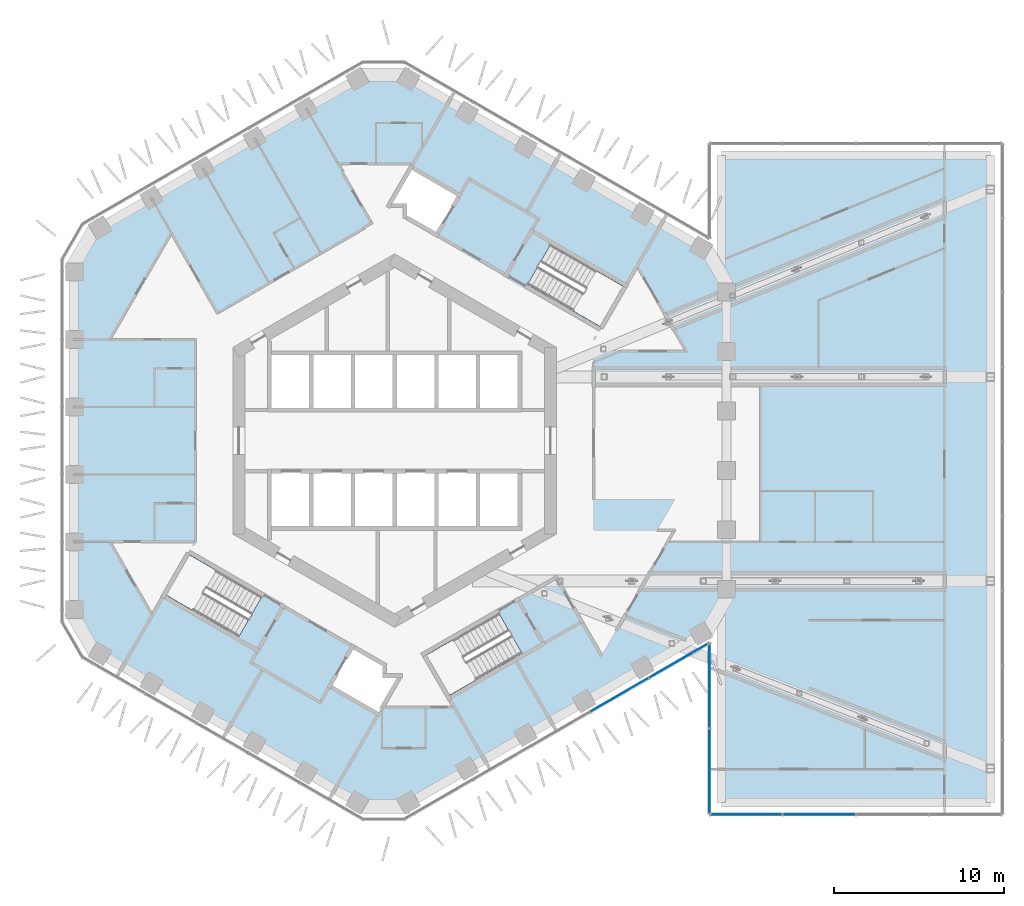
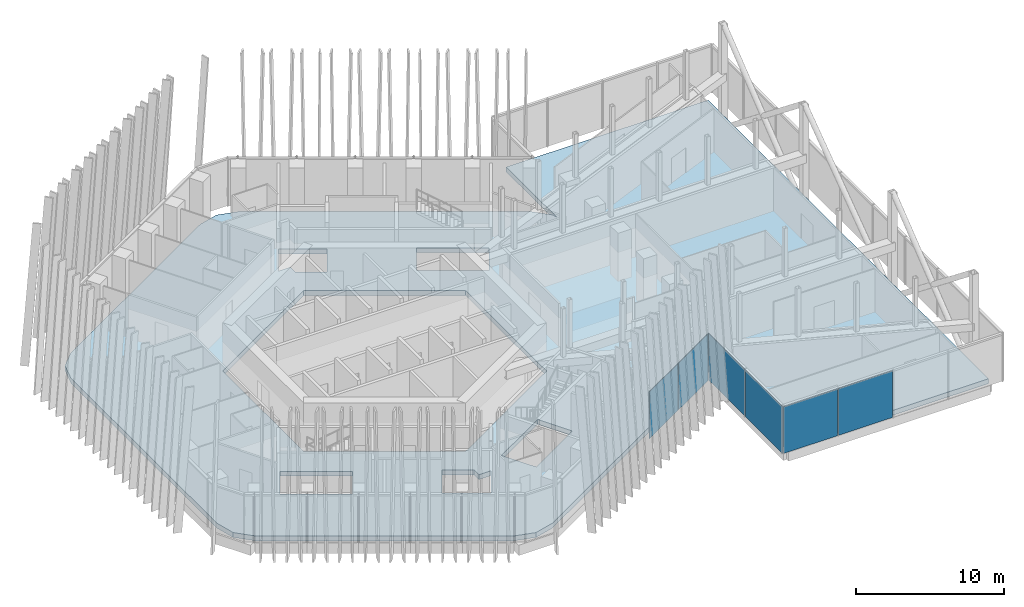
# One storey, part 14 of 28: 6 plates, 1 slab, 3 elements without a shape of their own.
"""IFC4 building model written with IfcOpenShell, lengths in metres."""

from ifc_helpers import new_model, si_unit, direction, frame, origin, origin_2d, place, context, subcontext, project, spatial, polyline, rectangle, outline, extrude, material, layer, layer_set, type_object, element, aggregate, save


model = new_model("IFC4")

# Units and contexts
model_context = context("Model", 3, precision=1e-05, world=origin(), true_north=direction((0.0, 1.0)))
body_context = subcontext(model_context, "Body", "Model", "MODEL_VIEW")
ifc_project = project(units=[si_unit("LENGTHUNIT", "METRE"), si_unit("AREAUNIT", "SQUARE_METRE"), si_unit("VOLUMEUNIT", "CUBIC_METRE"), si_unit("PLANEANGLEUNIT", "RADIAN"), si_unit("MASSUNIT", "GRAM", prefix="KILO")], contexts=[model_context])

# Site, building, storey
site_placement = place(None, origin())
site = spatial("IfcSite", under=ifc_project, at=site_placement, CompositionType="ELEMENT")
building_placement = place(site_placement, origin())
building = spatial("IfcBuilding", under=site, at=building_placement, Name="Ayvan Gate Tower", CompositionType="ELEMENT")
storey_placement = place(building_placement, frame((0.0, 0.0, 120.5)))
storey = spatial("IfcBuildingStorey", under=building, at=storey_placement, Name="L32", CompositionType="ELEMENT", Elevation=120.5)

# Slab
ifc_material_1 = material(Name="Concrete C40/50", Category="concrete")
ifc_layer_1 = layer(ifc_material_1, 0.39990234375)
ifc_layer_set_1 = layer_set([ifc_layer_1], Name="Concrete C40/50")
slab_type = type_object("IfcSlabType", Name="Post-tensioned flat slab 400", PredefinedType="FLOOR", material=ifc_layer_set_1)
slab_placement = place(storey_placement, frame((0.0, 0.0, -0.39990234375)))
element("IfcSlab", 1, at=slab_placement, inside=storey, type_object=slab_type, Name="SL-L32", PredefinedType="FLOOR", context=body_context, shape_type="SweptSolid", body=[
    extrude(outline(polyline([(17.985595703125, -11.3623046875), (0.84716796875, -21.257080078125), (-0.65283203125, -21.658935546875), (-2.15283203125, -21.257080078125), (-17.332763671875, -12.492919921875), (-18.430908203125, -11.394775390625), (-18.832763671875, -9.894775390625), (-18.832763671875, 9.894775390625), (-18.430908203125, 11.394775390625), (-17.332763671875, 12.492919921875), (-2.15283203125, 21.257080078125), (-0.65283203125, 21.658935546875), (0.84716796875, 21.257080078125), (17.985595703125, 11.3623046875), (19.083740234375, 10.26416015625), (19.185546875, 9.8837890625), (19.185546875, 16.75), (34.985595703125, 16.75), (34.985595703125, -21.25), (19.185546875, -21.25), (19.185546875, -9.8837890625), (19.083740234375, -10.26416015625), (17.985595703125, -11.3623046875)]), holes=[polyline([(12.049560546875, 6.720458984375), (13.404541015625, 9.0673828125), (9.1611328125, 11.517578125), (7.80615234375, 9.170654296875), (12.049560546875, 6.720458984375)]), polyline([(9.5, 5.48486328125), (0.0, 10.9697265625), (-9.5, 5.48486328125), (-9.5, -5.48486328125), (0.0, -10.9697265625), (9.5, -5.48486328125), (9.5, 5.48486328125)]), polyline([(1.873779296875, -12.595458984375), (3.228759765625, -14.9423828125), (7.472412109375, -12.492431640625), (6.117431640625, -10.1455078125), (1.873779296875, -12.595458984375)]), polyline([(0.60009765625, 13.16357421875), (2.472412109375, 12.08251953125), (3.822509765625, 14.420654296875), (0.964599609375, 16.07080078125), (-0.340576171875, 13.81005859375), (0.60009765625, 13.81005859375), (0.60009765625, 13.16357421875)]), polyline([(-0.726806640625, -15.658935546875), (0.340576171875, -13.81005859375), (-0.60009765625, -13.81005859375), (-0.60009765625, -13.16357421875), (-2.472412109375, -12.08251953125), (-3.822509765625, -14.420654296875), (-0.964599609375, -16.07080078125), (-0.726806640625, -15.658935546875)]), polyline([(-9.1611328125, -11.517578125), (-7.80615234375, -9.170654296875), (-12.049560546875, -6.720458984375), (-13.404541015625, -9.0673828125), (-9.1611328125, -11.517578125)])]), origin(), (0.0, 0.0, 1.0), 0.39990234375),
])

# Curtain wall, plates
ifc_material_2 = material(Name="Bronze anodised aluminium", Category="aluminium")
ifc_layer_2 = layer(ifc_material_2, 0.199951171875)
ifc_layer_set_2 = layer_set([ifc_layer_2], Name="Bronze anodised aluminium")
curtain_wall_type_1 = type_object("IfcCurtainWallType", Name="Stick curtain wall CW-1", PredefinedType="NOTDEFINED", material=ifc_layer_set_2)
curtain_wall_1_placement = place(storey_placement, origin())
curtain_wall_1 = element("IfcCurtainWall", 2, at=curtain_wall_1_placement, inside=storey, type_object=curtain_wall_type_1, Name="Stick curtain wall CW-1 L32", PredefinedType="NOTDEFINED")
ifc_material_3 = material(Name="Clear low-iron laminated glass", Category="glass")
ifc_layer_3 = layer(ifc_material_3, 0.028076171875)
ifc_layer_set_3 = layer_set([ifc_layer_3], Name="Clear low-iron laminated glass")
plate_type_1 = type_object("IfcPlateType", Name="Stick curtain wall CW-1 glass panel", PredefinedType="CURTAIN_PANEL", material=ifc_layer_set_3)
plate_1_placement = place(storey_placement, frame((13.200927734375, -14.932861328125, 0.0), z_axis=(0.0, 0.0, 1.0), x_axis=(0.866025403784, 0.5, 0.0)))
plate_1 = element("IfcPlate", 3, at=plate_1_placement, type_object=plate_type_1, Name="CW-1 glass panel 4", PredefinedType="CURTAIN_PANEL", context=body_context, shape_type="SweptSolid", body=[
    extrude(rectangle(XDim=3.906005859375, YDim=0.028076171875, at=origin_2d()), origin(), (0.0, 0.0, 1.0), 3.8798828125),
])
plate_2_placement = place(storey_placement, frame((16.666748046875, -12.931884765625, 0.0), z_axis=(0.0, 0.0, 1.0), x_axis=(0.866025403784, 0.5, 0.0)))
plate_2 = element("IfcPlate", 4, at=plate_2_placement, type_object=plate_type_1, Name="CW-1 glass panel 5", PredefinedType="CURTAIN_PANEL", context=body_context, shape_type="SweptSolid", body=[
    extrude(rectangle(XDim=3.97802734375, YDim=0.028076171875, at=origin_2d()), origin(), (0.0, 0.0, 1.0), 3.8798828125),
])
aggregate(curtain_wall_1, [plate_1, plate_2])

# Curtain wall, plate
ifc_layer_4 = layer(ifc_material_2, 0.199951171875)
ifc_layer_set_4 = layer_set([ifc_layer_4], Name="Bronze anodised aluminium")
curtain_wall_type_2 = type_object("IfcCurtainWallType", Name="Stick curtain wall CW-4", PredefinedType="NOTDEFINED", material=ifc_layer_set_4)
curtain_wall_2_placement = place(storey_placement, origin())
curtain_wall_2 = element("IfcCurtainWall", 5, at=curtain_wall_2_placement, inside=storey, type_object=curtain_wall_type_2, Name="Stick curtain wall CW-4 L32", PredefinedType="NOTDEFINED")
ifc_layer_5 = layer(ifc_material_3, 0.028076171875)
ifc_layer_set_5 = layer_set([ifc_layer_5], Name="Clear low-iron laminated glass")
plate_type_2 = type_object("IfcPlateType", Name="Stick curtain wall CW-4 glass panel", PredefinedType="CURTAIN_PANEL", material=ifc_layer_set_5)
plate_3_placement = place(storey_placement, frame((18.485595703125, -19.425537109375, 0.0), z_axis=(0.0, 0.0, 1.0), x_axis=(0.0, -1.0, 0.0)))
plate_3 = element("IfcPlate", 6, at=plate_3_placement, type_object=plate_type_2, Name="CW-4 glass panel 2", PredefinedType="CURTAIN_PANEL", context=body_context, shape_type="SweptSolid", body=[
    extrude(rectangle(XDim=4.968994140625, YDim=0.028076171875, at=origin_2d()), origin(), (0.0, 0.0, 1.0), 3.860107421875),
])

# Curtain wall, plates
curtain_wall_3_placement = place(storey_placement, origin())
curtain_wall_3 = element("IfcCurtainWall", 7, at=curtain_wall_3_placement, inside=storey, type_object=curtain_wall_type_2, Name="Stick curtain wall CW-4 L32", PredefinedType="NOTDEFINED")
ifc_material_4 = material(Name="Pale anodised aluminium composite panel", Category="aluminium")
ifc_layer_6 = layer(ifc_material_4, 0.028076171875)
ifc_layer_set_6 = layer_set([ifc_layer_6], Name="Pale anodised aluminium composite panel")
plate_type_3 = type_object("IfcPlateType", Name="Stick curtain wall CW-4 solid panel", PredefinedType="CURTAIN_PANEL", material=ifc_layer_set_6)
plate_4_placement = place(storey_placement, frame((20.635498046875, -21.949951171875, 0.0), z_axis=(0.0, 0.0, 1.0), x_axis=(1.0, 0.0, 0.0)))
plate_4 = element("IfcPlate", 8, at=plate_4_placement, type_object=plate_type_3, Name="CW-4 solid panel 1", PredefinedType="CURTAIN_PANEL", context=body_context, shape_type="SweptSolid", body=[
    extrude(rectangle(XDim=4.219970703125, YDim=0.028076171875, at=origin_2d()), origin(), (0.0, 0.0, 1.0), 3.860107421875),
])
plate_5_placement = place(storey_placement, frame((24.935546875, -21.949951171875, 0.0), z_axis=(0.0, 0.0, 1.0), x_axis=(1.0, 0.0, 0.0)))
plate_5 = element("IfcPlate", 9, at=plate_5_placement, type_object=plate_type_3, Name="CW-4 solid panel 2", PredefinedType="CURTAIN_PANEL", context=body_context, shape_type="SweptSolid", body=[
    extrude(rectangle(XDim=4.219970703125, YDim=0.028076171875, at=origin_2d()), origin(), (0.0, 0.0, 1.0), 3.860107421875),
])
aggregate(curtain_wall_3, [plate_4, plate_5])

# Plate
plate_6_placement = place(storey_placement, frame((18.485595703125, -14.376708984375, 0.0), z_axis=(0.0, 0.0, 1.0), x_axis=(0.0, -1.0, 0.0)))
plate_6 = element("IfcPlate", 10, at=plate_6_placement, type_object=plate_type_3, Name="CW-4 solid panel 1", PredefinedType="CURTAIN_PANEL", context=body_context, shape_type="SweptSolid", body=[
    extrude(rectangle(XDim=4.968994140625, YDim=0.028076171875, at=origin_2d()), origin(), (0.0, 0.0, 1.0), 3.860107421875),
])

aggregate(curtain_wall_2, [plate_6, plate_3])

save(model, "model.ifc")
